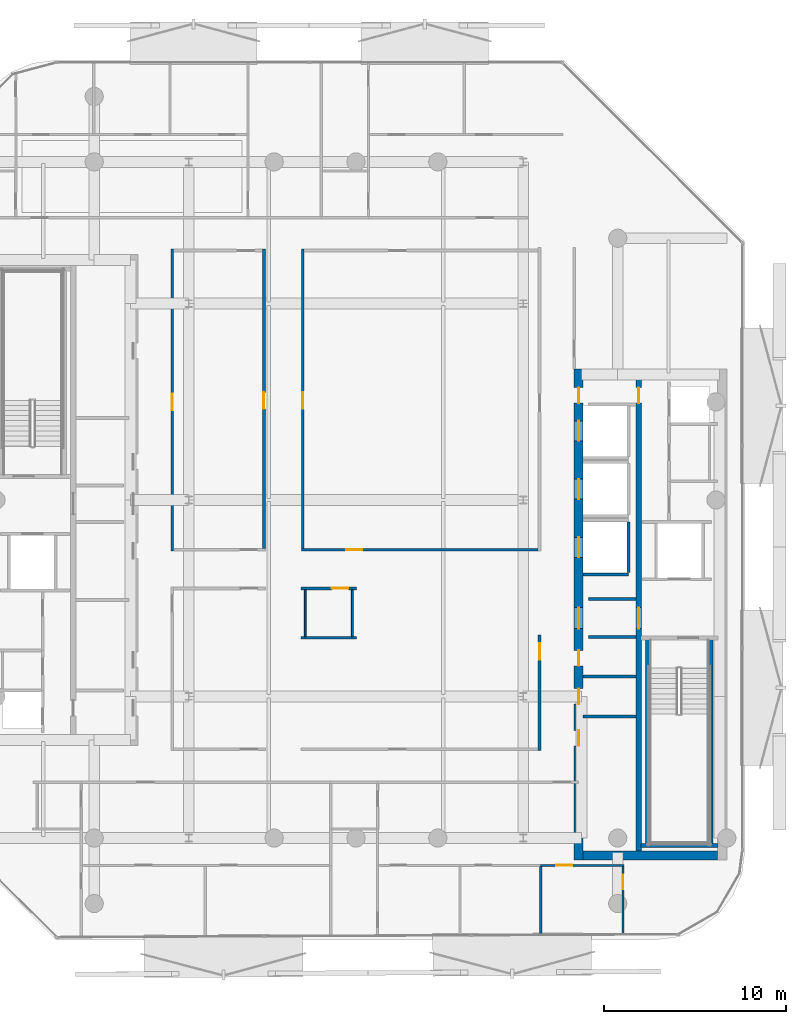
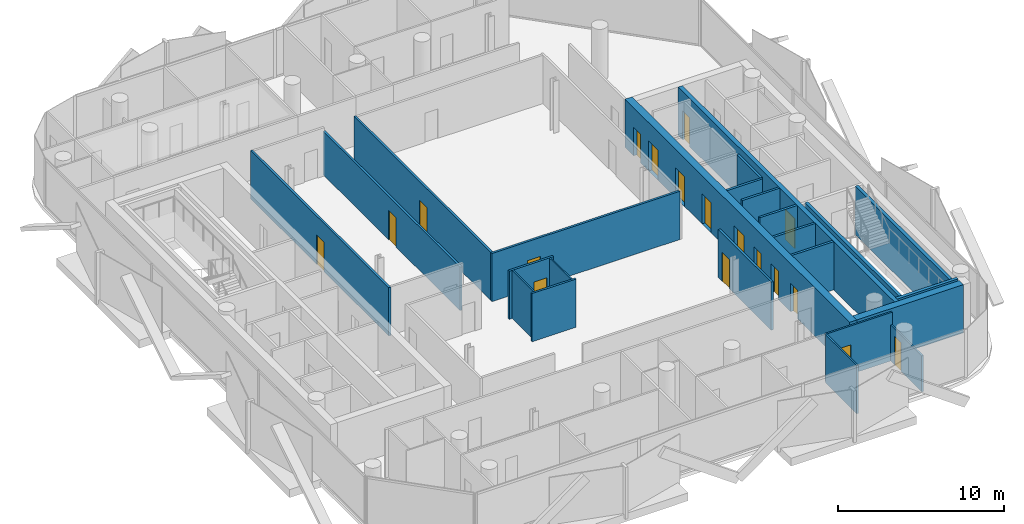
# One storey, part 6 of 16: 24 walls, 18 doors, 18 openings.
"""IFC4 building model written with IfcOpenShell, lengths in metres."""

from ifc_helpers import new_model, si_unit, direction, frame, frame_2d, origin, place, context, subcontext, project, spatial, rectangle, extrude, material, layer, layer_set, type_object, element, fill, save


model = new_model("IFC4")

# Units and contexts
model_context = context("Model", 3, precision=1e-05, world=origin(), true_north=direction((0.0, 1.0)))
body_context = subcontext(model_context, "Body", "Model", "MODEL_VIEW")
ifc_project = project(units=[si_unit("LENGTHUNIT", "METRE"), si_unit("AREAUNIT", "SQUARE_METRE"), si_unit("VOLUMEUNIT", "CUBIC_METRE"), si_unit("PLANEANGLEUNIT", "RADIAN"), si_unit("MASSUNIT", "GRAM", prefix="KILO")], contexts=[model_context])

# Site, building, storey
site_placement = place(None, origin())
site = spatial("IfcSite", under=ifc_project, at=site_placement, CompositionType="ELEMENT")
building_placement = place(site_placement, origin())
building = spatial("IfcBuilding", under=site, at=building_placement, Name="Khairoan Windgate Tower", CompositionType="ELEMENT")
storey_placement = place(building_placement, frame((0.0, 0.0, 277.60009765625)))
storey = spatial("IfcBuildingStorey", under=building, at=storey_placement, Name="L66", CompositionType="ELEMENT", Elevation=277.60009765625)

# Walls
ifc_material_1 = material(Name="Moisture-Resistant Gypsum Partition", Category="gypsum")
ifc_layer_1 = layer(ifc_material_1, 0.10009765625, Name="Moisture-Resistant Gypsum Partition")
ifc_layer_set_1 = layer_set([ifc_layer_1], Name="Moisture-Resistant Gypsum Partition")
wall_type_1 = type_object("IfcWallType", Name="Bathroom Wet-Area Partition Wall", PredefinedType="PARTITIONING", material=ifc_layer_set_1)
for number, where, z_axis, x_axis, name in (
    (1, (-0.199951171875, -4.93994140625, 0.0), (0.0, 0.0, 1.0), (0.0, -1.0, 0.0), "L66 Wet Room Side Wall 083"),
    (2, (-2.7900390625, -7.510009765625, 0.0), (0.0, 0.0, 1.0), (0.0, 1.0, 0.0), "L66 Wet Room Side Wall 084"),
):
    element("IfcWall", number, at=place(storey_placement, frame(where, z_axis=z_axis, x_axis=x_axis)), inside=storey, type_object=wall_type_1, Name=name, PredefinedType="PARTITIONING", context=body_context, shape_type="SweptSolid", body=[
        extrude(rectangle(XDim=2.570068359375, YDim=0.10009765625, at=frame_2d((1.28515625, 0.0))), origin(), (0.0, 0.0, 1.0), 3.539794921875),
    ])
ifc_material_2 = material(Name="Concrete C40/50", Category="concrete")
ifc_layer_2 = layer(ifc_material_2, 0.159912109375, Name="Concrete C40/50")
ifc_layer_set_2 = layer_set([ifc_layer_2], Name="Concrete C40/50")
wall_type_2 = type_object("IfcWallType", Name="Core and Hoistway Enclosure Wall", PredefinedType="STANDARD", material=ifc_layer_set_2)
wall_1_placement = place(storey_placement, frame((12.5, -4.090087890625, 0.0), z_axis=(0.0, 0.0, 1.0), x_axis=(1.0, 0.0, 0.0)))
element("IfcWall", 3, at=wall_1_placement, inside=storey, type_object=wall_type_2, Name="L66 Lift PL9 Hoistway Divider S", PredefinedType="STANDARD", context=body_context, shape_type="SweptSolid", body=[
    extrude(rectangle(XDim=2.489990234375, YDim=0.159912109375, at=frame_2d((1.2451171875, 0.0))), origin(), (0.0, 0.0, 1.0), 3.539794921875),
])
wall_2_placement = place(storey_placement, frame((14.989990234375, -4.0, 0.0), z_axis=(0.0, 0.0, 1.0), x_axis=(0.0, 1.0, 0.0)))
element("IfcWall", 4, at=wall_2_placement, inside=storey, type_object=wall_type_2, Name="L66 Lift PL9 Hoistway Back Wall", PredefinedType="STANDARD", context=body_context, shape_type="SweptSolid", body=[
    extrude(rectangle(XDim=2.800048828125, YDim=0.159912109375, at=frame_2d((1.39990234375, 0.0))), origin(), (0.0, 0.0, 1.0), 3.539794921875),
])
for number, where, z_axis, x_axis, name in (
    (5, (12.800048828125, -5.449951171875, 0.0), (0.0, 0.0, 1.0), (1.0, 0.0, 0.0), "L66 Core Shaft Wall SW-EV1-L66"),
    (6, (12.800048828125, -7.5400390625, 0.0), (0.0, 0.0, 1.0), (1.0, 0.0, 0.0), "L66 Core Shaft Wall SW-EV2-L66"),
):
    element("IfcWall", number, at=place(storey_placement, frame(where, z_axis=z_axis, x_axis=x_axis)), inside=storey, type_object=wall_type_2, Name=name, PredefinedType="STANDARD", context=body_context, shape_type="SweptSolid", body=[
        extrude(rectangle(XDim=2.599853515625, YDim=0.159912109375, at=frame_2d((1.2998046875, 0.0))), origin(), (0.0, 0.0, 1.0), 3.539794921875),
    ])
ifc_material_3 = material(Name="Acoustic Fire-Rated Gypsum Partition", Category="gypsum")
ifc_layer_3 = layer(ifc_material_3, 0.139892578125, Name="Acoustic Fire-Rated Gypsum Partition")
ifc_layer_set_3 = layer_set([ifc_layer_3], Name="Acoustic Fire-Rated Gypsum Partition")
wall_type_3 = type_object("IfcWallType", Name="Inter-Tenancy Compartment Wall", PredefinedType="PARTITIONING", material=ifc_layer_set_3)
wall_3_placement = place(storey_placement, frame((-3.030029296875, -7.580078125, 0.0), z_axis=(0.0, 0.0, 1.0), x_axis=(1.0, 0.0, 0.0)))
element("IfcWall", 7, at=wall_3_placement, inside=storey, type_object=wall_type_3, Name="L66 Interior Partition 079", PredefinedType="PARTITIONING", context=body_context, shape_type="SweptSolid", body=[
    extrude(rectangle(XDim=3.070068359375, YDim=0.139892578125, at=frame_2d((1.53515625, 0.0))), origin(), (0.0, 0.0, 1.0), 3.539794921875),
])

# Wall, opening, door
ifc_material_4 = material(Name="Gypsum Stud Partition", Category="gypsum")
ifc_layer_4 = layer(ifc_material_4, 0.1201171875, Name="Gypsum Stud Partition")
ifc_layer_set_4 = layer_set([ifc_layer_4], Name="Gypsum Stud Partition")
wall_type_4 = type_object("IfcWallType", Name="Internal Room Partition Wall", PredefinedType="PARTITIONING", material=ifc_layer_set_4)
wall_4_placement = place(storey_placement, frame((10.1630859375, -20.10009765625, 0.0), z_axis=(0.0, 0.0, 1.0), x_axis=(1.0, 0.0, 0.0)))
wall_4 = element("IfcWall", 8, at=wall_4_placement, inside=storey, type_object=wall_type_4, Name="L66 Interior Partition 075", PredefinedType="PARTITIONING", context=body_context, shape_type="SweptSolid", body=[
    extrude(rectangle(XDim=4.5869140625, YDim=0.1201171875, at=frame_2d((2.29345703125, 0.0))), origin(), (0.0, 0.0, 1.0), 3.539794921875),
])
opening_1_placement = place(wall_4_placement, frame((0.861083984375, 0.0, 0.0)))
opening_1 = element("IfcOpeningElement", 9, at=opening_1_placement, cuts=wall_4, Name="Opening ID-RM", PredefinedType="OPENING", context=body_context, shape_type="SweptSolid", body=[
    extrude(rectangle(XDim=0.860107421875, YDim=2.14990234375, at=frame_2d((0.43017578125, 1.074951171875))), frame((0.0, 0.070068359375, 0.0), z_axis=(0.0, -1.0, 0.0), x_axis=(1.0, 0.0, 0.0)), (0.0, 0.0, 1.0), 0.14013671875),
])
ifc_material_5 = material(Name="Teak Veneer Timber Leaf", Category="wood")
door_type_1 = type_object("IfcDoorType", Name="Internal Bedroom and Office Door ID-RM 860x2150", OperationType="NOTDEFINED", PredefinedType="DOOR", material=ifc_material_5)
door_1_placement = place(opening_1_placement, origin())
door_1 = element("IfcDoor", 10, at=door_1_placement, inside=storey, type_object=door_type_1, Name="L66 L66-54-L66-58 Door", OperationType="SINGLE_SWING_LEFT", OverallHeight=2.14990234375, OverallWidth=0.860107421875, PredefinedType="DOOR", context=body_context, shape_type="SweptSolid", body=[
    extrude(rectangle(XDim=0.860107421875, YDim=2.14990234375, at=frame_2d((0.43017578125, 1.074951171875))), frame((0.0, 0.02490234375, 0.0), z_axis=(0.0, -1.0, 0.0), x_axis=(1.0, 0.0, 0.0)), (0.0, 0.0, 1.0), 0.050048828125),
])
fill(opening_1, door_1)

wall_5_placement = place(storey_placement, frame((14.68994140625, -23.906005859375, 0.0), z_axis=(0.0, 0.0, 1.0), x_axis=(0.0, 1.0, 0.0)))
wall_5 = element("IfcWall", 11, at=wall_5_placement, inside=storey, type_object=wall_type_4, Name="L66 Interior Partition 076", PredefinedType="PARTITIONING", context=body_context, shape_type="SweptSolid", body=[
    extrude(rectangle(XDim=3.74609375, YDim=0.1201171875, at=frame_2d((1.873046875, 0.0))), origin(), (0.0, 0.0, 1.0), 2.639892578125),
])
opening_2_placement = place(wall_5_placement, frame((2.486083984375, 0.0, 0.0)))
opening_2 = element("IfcOpeningElement", 12, at=opening_2_placement, cuts=wall_5, Name="Opening ID-BTH", PredefinedType="OPENING", context=body_context, shape_type="SweptSolid", body=[
    extrude(rectangle(XDim=0.800048828125, YDim=2.10009765625, at=frame_2d((0.39990234375, 1.050048828125))), frame((0.0, 0.070068359375, 0.0), z_axis=(0.0, -1.0, 0.0), x_axis=(1.0, 0.0, 0.0)), (0.0, 0.0, 1.0), 0.14013671875),
])
ifc_material_6 = material(Name="Teak Veneer Timber Leaf", Category="wood")
door_type_2 = type_object("IfcDoorType", Name="Internal Bathroom Door ID-BTH 800x2100", OperationType="NOTDEFINED", PredefinedType="DOOR", material=ifc_material_6)
door_2_placement = place(opening_2_placement, origin())
door_2 = element("IfcDoor", 13, at=door_2_placement, inside=storey, type_object=door_type_2, Name="L66 L66-55-L66-58 Door", OperationType="SINGLE_SWING_LEFT", OverallHeight=2.10009765625, OverallWidth=0.800048828125, PredefinedType="DOOR", context=body_context, shape_type="SweptSolid", body=[
    extrude(rectangle(XDim=0.800048828125, YDim=2.10009765625, at=frame_2d((0.39990234375, 1.050048828125))), frame((0.0, 0.02490234375, 0.0), z_axis=(0.0, -1.0, 0.0), x_axis=(1.0, 0.0, 0.0)), (0.0, 0.0, 1.0), 0.050048828125),
])
fill(opening_2, door_2)

# Walls
wall_6_placement = place(storey_placement, frame((10.1630859375, -23.927734375, 0.0), z_axis=(0.0, 0.0, 1.0), x_axis=(0.0, 1.0, 0.0)))
element("IfcWall", 14, at=wall_6_placement, inside=storey, type_object=wall_type_4, Name="L66 Interior Partition 078", PredefinedType="PARTITIONING", context=body_context, shape_type="SweptSolid", body=[
    extrude(rectangle(XDim=3.767822265625, YDim=0.1201171875, at=frame_2d((1.8837890625, 0.0))), origin(), (0.0, 0.0, 1.0), 3.539794921875),
])
ifc_material_7 = material(Name="Concrete C40/50", Category="concrete")
ifc_layer_5 = layer(ifc_material_7, 0.159912109375, Name="Concrete C40/50")
ifc_layer_set_5 = layer_set([ifc_layer_5], Name="Concrete C40/50")
wall_type_5 = type_object("IfcWallType", Name="Plant and Refuge Compartment Wall", PredefinedType="PARTITIONING", material=ifc_layer_set_5)
for number, where, z_axis, x_axis, name in (
    (15, (12.5, -11.919921875, 0.0), (0.0, 0.0, 1.0), (1.0, 0.0, 0.0), "L66 Interior Partition 013"),
    (16, (12.5, -9.719970703125, 0.0), (0.0, 0.0, 1.0), (1.0, 0.0, 0.0), "L66 Interior Partition 014"),
):
    element("IfcWall", number, at=place(storey_placement, frame(where, z_axis=z_axis, x_axis=x_axis)), inside=storey, type_object=wall_type_5, Name=name, PredefinedType="PARTITIONING", context=body_context, shape_type="SweptSolid", body=[
        extrude(rectangle(XDim=2.89990234375, YDim=0.159912109375, at=frame_2d((1.449951171875, 0.0))), origin(), (0.0, 0.0, 1.0), 3.539794921875),
    ])

# Wall, opening, door
ifc_material_8 = material(Name="Acoustic Fire-Rated Gypsum Partition", Category="gypsum")
ifc_layer_6 = layer(ifc_material_8, 0.14990234375, Name="Acoustic Fire-Rated Gypsum Partition")
ifc_layer_set_6 = layer_set([ifc_layer_6], Name="Acoustic Fire-Rated Gypsum Partition")
wall_type_6 = type_object("IfcWallType", Name="Rated Corridor Partition Wall", PredefinedType="PARTITIONING", material=ifc_layer_set_6)
wall_7_placement = place(storey_placement, frame((-10.10009765625, -2.81005859375, 0.0), z_axis=(0.0, 0.0, 1.0), x_axis=(0.0, 1.0, 0.0)))
wall_7 = element("IfcWall", 17, at=wall_7_placement, inside=storey, type_object=wall_type_6, Name="L66 Interior Partition 015", PredefinedType="PARTITIONING", context=body_context, shape_type="SweptSolid", body=[
    extrude(rectangle(XDim=16.60498046875, YDim=0.14990234375, at=frame_2d((8.302490234375, 0.0))), origin(), (0.0, 0.0, 1.0), 3.539794921875),
])
opening_3_placement = place(wall_7_placement, frame((7.751220703125, 0.0, 0.0)))
opening_3 = element("IfcOpeningElement", 18, at=opening_3_placement, cuts=wall_7, Name="Opening FD-ENT", PredefinedType="OPENING", context=body_context, shape_type="SweptSolid", body=[
    extrude(rectangle(XDim=0.89990234375, YDim=2.14990234375, at=frame_2d((0.449951171875, 1.074951171875))), frame((0.0, 0.0849609375, 0.0), z_axis=(0.0, -1.0, 0.0), x_axis=(1.0, 0.0, 0.0)), (0.0, 0.0, 1.0), 0.169921875),
])
ifc_material_9 = material(Name="Timber Fire-Rated Core", Category="wood")
door_type_3 = type_object("IfcDoorType", Name="Unit and Office Fire Entrance Door FD-ENT 900x2150", OperationType="NOTDEFINED", PredefinedType="DOOR", material=ifc_material_9)
door_3_placement = place(opening_3_placement, origin())
door_3 = element("IfcDoor", 19, at=door_3_placement, inside=storey, type_object=door_type_3, Name="L66 L66-29-L66-60 Door", OperationType="SINGLE_SWING_RIGHT", OverallHeight=2.14990234375, OverallWidth=0.89990234375, PredefinedType="DOOR", context=body_context, shape_type="SweptSolid", body=[
    extrude(rectangle(XDim=0.89990234375, YDim=2.14990234375, at=frame_2d((0.449951171875, 1.074951171875))), frame((0.0, 0.02490234375, 0.0), z_axis=(0.0, -1.0, 0.0), x_axis=(1.0, 0.0, 0.0)), (0.0, 0.0, 1.0), 0.050048828125),
])
fill(opening_3, door_3)

wall_8_placement = place(storey_placement, frame((10.10009765625, -13.794921875, 0.0), z_axis=(0.0, 0.0, 1.0), x_axis=(0.0, 1.0, 0.0)))
wall_8 = element("IfcWall", 20, at=wall_8_placement, inside=storey, type_object=wall_type_6, Name="L66 Interior Partition 019", PredefinedType="PARTITIONING", context=body_context, shape_type="SweptSolid", body=[
    extrude(rectangle(XDim=6.375, YDim=0.14990234375, at=frame_2d((3.1875, 0.0))), origin(), (0.0, 0.0, 1.0), 3.539794921875),
])
opening_4_placement = place(wall_8_placement, frame((5.014892578125, 0.0, 0.0)))
opening_4 = element("IfcOpeningElement", 21, at=opening_4_placement, cuts=wall_8, Name="Opening FD-ENT", PredefinedType="OPENING", context=body_context, shape_type="SweptSolid", body=[
    extrude(rectangle(XDim=0.89990234375, YDim=2.14990234375, at=frame_2d((0.449951171875, 1.074951171875))), frame((0.0, 0.0849609375, 0.0), z_axis=(0.0, -1.0, 0.0), x_axis=(1.0, 0.0, 0.0)), (0.0, 0.0, 1.0), 0.169921875),
])
door_4_placement = place(opening_4_placement, origin())
door_4 = element("IfcDoor", 22, at=door_4_placement, inside=storey, type_object=door_type_3, Name="L66 L66-30-L66-64 Door", OperationType="SINGLE_SWING_RIGHT", OverallHeight=2.14990234375, OverallWidth=0.89990234375, PredefinedType="DOOR", context=body_context, shape_type="SweptSolid", body=[
    extrude(rectangle(XDim=0.89990234375, YDim=2.14990234375, at=frame_2d((0.449951171875, 1.074951171875))), frame((0.0, 0.02490234375, 0.0), z_axis=(0.0, -1.0, 0.0), x_axis=(1.0, 0.0, 0.0)), (0.0, 0.0, 1.0), 0.050048828125),
])
fill(opening_4, door_4)

wall_9_placement = place(storey_placement, frame((-3.010009765625, -2.735107421875, 0.0), z_axis=(0.0, 0.0, 1.0), x_axis=(1.0, 0.0, 0.0)))
wall_9 = element("IfcWall", 23, at=wall_9_placement, inside=storey, type_object=wall_type_6, Name="L66 Interior Partition 022", PredefinedType="PARTITIONING", context=body_context, shape_type="SweptSolid", body=[
    extrude(rectangle(XDim=13.034912109375, YDim=0.14990234375, at=frame_2d((6.517578125, 0.0))), origin(), (0.0, 0.0, 1.0), 3.539794921875),
])
opening_5_placement = place(wall_9_placement, frame((2.462646484375, 0.0, 0.0)))
opening_5 = element("IfcOpeningElement", 24, at=opening_5_placement, cuts=wall_9, Name="Opening FD-ENT", PredefinedType="OPENING", context=body_context, shape_type="SweptSolid", body=[
    extrude(rectangle(XDim=0.89990234375, YDim=2.14990234375, at=frame_2d((0.449951171875, 1.074951171875))), frame((0.0, 0.0849609375, 0.0), z_axis=(0.0, -1.0, 0.0), x_axis=(1.0, 0.0, 0.0)), (0.0, 0.0, 1.0), 0.169921875),
])
door_5_placement = place(opening_5_placement, origin())
door_5 = element("IfcDoor", 25, at=door_5_placement, inside=storey, type_object=door_type_3, Name="L66 L66-31-L66-62 Door", OperationType="SINGLE_SWING_LEFT", OverallHeight=2.14990234375, OverallWidth=0.89990234375, PredefinedType="DOOR", context=body_context, shape_type="SweptSolid", body=[
    extrude(rectangle(XDim=0.89990234375, YDim=2.14990234375, at=frame_2d((0.449951171875, 1.074951171875))), frame((0.0, 0.02490234375, 0.0), z_axis=(0.0, -1.0, 0.0), x_axis=(1.0, 0.0, 0.0)), (0.0, 0.0, 1.0), 0.050048828125),
])
fill(opening_5, door_5)

wall_10_placement = place(storey_placement, frame((-3.030029296875, -4.864990234375, 0.0), z_axis=(0.0, 0.0, 1.0), x_axis=(1.0, 0.0, 0.0)))
wall_10 = element("IfcWall", 26, at=wall_10_placement, inside=storey, type_object=wall_type_6, Name="L66 Interior Partition 023", PredefinedType="PARTITIONING", context=body_context, shape_type="SweptSolid", body=[
    extrude(rectangle(XDim=3.070068359375, YDim=0.14990234375, at=frame_2d((1.53515625, 0.0))), origin(), (0.0, 0.0, 1.0), 3.539794921875),
])
opening_6_placement = place(wall_10_placement, frame((1.7099609375, 0.0, 0.0)))
opening_6 = element("IfcOpeningElement", 27, at=opening_6_placement, cuts=wall_10, Name="Opening FD-ENT", PredefinedType="OPENING", context=body_context, shape_type="SweptSolid", body=[
    extrude(rectangle(XDim=0.89990234375, YDim=2.14990234375, at=frame_2d((0.449951171875, 1.074951171875))), frame((0.0, 0.0849609375, 0.0), z_axis=(0.0, -1.0, 0.0), x_axis=(1.0, 0.0, 0.0)), (0.0, 0.0, 1.0), 0.169921875),
])
door_6_placement = place(opening_6_placement, origin())
door_6 = element("IfcDoor", 28, at=door_6_placement, inside=storey, type_object=door_type_3, Name="L66 L66-31-L66-63 Door", OperationType="SINGLE_SWING_RIGHT", OverallHeight=2.14990234375, OverallWidth=0.89990234375, PredefinedType="DOOR", context=body_context, shape_type="SweptSolid", body=[
    extrude(rectangle(XDim=0.89990234375, YDim=2.14990234375, at=frame_2d((0.449951171875, 1.074951171875))), frame((0.0, 0.02490234375, 0.0), z_axis=(0.0, -1.0, 0.0), x_axis=(1.0, 0.0, 0.0)), (0.0, 0.0, 1.0), 0.050048828125),
])
fill(opening_6, door_6)

wall_11_placement = place(storey_placement, frame((-5.06494140625, -2.659912109375, 0.0), z_axis=(0.0, 0.0, 1.0), x_axis=(0.0, 1.0, 0.0)))
wall_11 = element("IfcWall", 29, at=wall_11_placement, inside=storey, type_object=wall_type_6, Name="L66 Interior Partition 024", PredefinedType="PARTITIONING", context=body_context, shape_type="SweptSolid", body=[
    extrude(rectangle(XDim=16.454833984375, YDim=0.14990234375, at=frame_2d((8.2275390625, 0.0))), origin(), (0.0, 0.0, 1.0), 3.18994140625),
])
opening_7_placement = place(wall_11_placement, frame((7.67724609375, 0.0, 0.0)))
opening_7 = element("IfcOpeningElement", 30, at=opening_7_placement, cuts=wall_11, Name="Opening FD-ENT", PredefinedType="OPENING", context=body_context, shape_type="SweptSolid", body=[
    extrude(rectangle(XDim=0.89990234375, YDim=2.14990234375, at=frame_2d((0.449951171875, 1.074951171875))), frame((0.0, 0.0849609375, 0.0), z_axis=(0.0, -1.0, 0.0), x_axis=(1.0, 0.0, 0.0)), (0.0, 0.0, 1.0), 0.169921875),
])
door_7_placement = place(opening_7_placement, origin())
door_7 = element("IfcDoor", 31, at=door_7_placement, inside=storey, type_object=door_type_3, Name="L66 L66-32-L66-60 Door", OperationType="SINGLE_SWING_LEFT", OverallHeight=2.14990234375, OverallWidth=0.89990234375, PredefinedType="DOOR", context=body_context, shape_type="SweptSolid", body=[
    extrude(rectangle(XDim=0.89990234375, YDim=2.14990234375, at=frame_2d((0.449951171875, 1.074951171875))), frame((0.0, 0.02490234375, 0.0), z_axis=(0.0, -1.0, 0.0), x_axis=(1.0, 0.0, 0.0)), (0.0, 0.0, 1.0), 0.050048828125),
])
fill(opening_7, door_7)

wall_12_placement = place(storey_placement, frame((-2.93505859375, -2.659912109375, 0.0), z_axis=(0.0, 0.0, 1.0), x_axis=(0.0, 1.0, 0.0)))
wall_12 = element("IfcWall", 32, at=wall_12_placement, inside=storey, type_object=wall_type_6, Name="L66 Interior Partition 025", PredefinedType="PARTITIONING", context=body_context, shape_type="SweptSolid", body=[
    extrude(rectangle(XDim=16.454833984375, YDim=0.14990234375, at=frame_2d((8.2275390625, 0.0))), origin(), (0.0, 0.0, 1.0), 3.539794921875),
])
opening_8_placement = place(wall_12_placement, frame((7.67724609375, 0.0, 0.0)))
opening_8 = element("IfcOpeningElement", 33, at=opening_8_placement, cuts=wall_12, Name="Opening FD-ENT", PredefinedType="OPENING", context=body_context, shape_type="SweptSolid", body=[
    extrude(rectangle(XDim=0.89990234375, YDim=2.14990234375, at=frame_2d((0.449951171875, 1.074951171875))), frame((0.0, 0.0849609375, 0.0), z_axis=(0.0, -1.0, 0.0), x_axis=(1.0, 0.0, 0.0)), (0.0, 0.0, 1.0), 0.169921875),
])
door_8_placement = place(opening_8_placement, origin())
door_8 = element("IfcDoor", 34, at=door_8_placement, inside=storey, type_object=door_type_3, Name="L66 L66-32-L66-62 Door", OperationType="SINGLE_SWING_RIGHT", OverallHeight=2.14990234375, OverallWidth=0.89990234375, PredefinedType="DOOR", context=body_context, shape_type="SweptSolid", body=[
    extrude(rectangle(XDim=0.89990234375, YDim=2.14990234375, at=frame_2d((0.449951171875, 1.074951171875))), frame((0.0, 0.02490234375, 0.0), z_axis=(0.0, -1.0, 0.0), x_axis=(1.0, 0.0, 0.0)), (0.0, 0.0, 1.0), 0.050048828125),
])
fill(opening_8, door_8)

# Wall, openings, doors
ifc_material_10 = material(Name="Concrete C50/60", Category="concrete")
ifc_layer_7 = layer(ifc_material_10, 0.5, Name="Concrete C50/60")
ifc_layer_set_7 = layer_set([ifc_layer_7], Name="Concrete C50/60")
wall_type_7 = type_object("IfcWallType", Name="Shear Wall CW-E3 500mm", PredefinedType="SHEAR", material=ifc_layer_set_7)
wall_13_placement = place(storey_placement, frame((12.25, -19.800048828125, 0.0), z_axis=(0.0, 0.0, 1.0), x_axis=(0.0, 1.0, 0.0)))
wall_13 = element("IfcWall", 35, at=wall_13_placement, inside=storey, type_object=wall_type_7, Name="E Core West Shear Wall L66", PredefinedType="SHEAR", context=body_context, shape_type="SweptSolid", body=[
    extrude(rectangle(XDim=27.0, YDim=0.5, at=frame_2d((13.5, 0.0))), origin(), (0.0, 0.0, 1.0), 3.539794921875),
])
opening_9_placement = place(wall_13_placement, frame((23.050048828125, 0.0, 0.0)))
opening_9 = element("IfcOpeningElement", 36, at=opening_9_placement, cuts=wall_13, Name="Opening LD-PL", PredefinedType="OPENING", context=body_context, shape_type="SweptSolid", body=[
    extrude(rectangle(XDim=1.10009765625, YDim=2.199951171875, at=frame_2d((0.550048828125, 1.10009765625))), frame((0.0, 0.260009765625, 0.0), z_axis=(0.0, -1.0, 0.0), x_axis=(1.0, 0.0, 0.0)), (0.0, 0.0, 1.0), 0.52001953125),
])
opening_10_placement = place(wall_13_placement, frame((19.85009765625, 0.0, 0.0)))
opening_10 = element("IfcOpeningElement", 37, at=opening_10_placement, cuts=wall_13, Name="Opening LD-PL", PredefinedType="OPENING", context=body_context, shape_type="SweptSolid", body=[
    extrude(rectangle(XDim=1.10009765625, YDim=2.199951171875, at=frame_2d((0.550048828125, 1.10009765625))), frame((0.0, 0.260009765625, 0.0), z_axis=(0.0, -1.0, 0.0), x_axis=(1.0, 0.0, 0.0)), (0.0, 0.0, 1.0), 0.52001953125),
])
opening_11_placement = place(wall_13_placement, frame((16.64990234375, 0.0, 0.0)))
opening_11 = element("IfcOpeningElement", 38, at=opening_11_placement, cuts=wall_13, Name="Opening LD-PL", PredefinedType="OPENING", context=body_context, shape_type="SweptSolid", body=[
    extrude(rectangle(XDim=1.10009765625, YDim=2.199951171875, at=frame_2d((0.550048828125, 1.10009765625))), frame((0.0, 0.260009765625, 0.0), z_axis=(0.0, -1.0, 0.0), x_axis=(1.0, 0.0, 0.0)), (0.0, 0.0, 1.0), 0.52001953125),
])
opening_12_placement = place(wall_13_placement, frame((6.27490234375, 0.0, 0.0)))
opening_12 = element("IfcOpeningElement", 39, at=opening_12_placement, cuts=wall_13, Name="Opening FD-SRV", PredefinedType="OPENING", context=body_context, shape_type="SweptSolid", body=[
    extrude(rectangle(XDim=0.85009765625, YDim=2.10009765625, at=frame_2d((0.425048828125, 1.050048828125))), frame((0.0, 0.260009765625, 0.0), z_axis=(0.0, -1.0, 0.0), x_axis=(1.0, 0.0, 0.0)), (0.0, 0.0, 1.0), 0.52001953125),
])
opening_13_placement = place(wall_13_placement, frame((8.574951171875, 0.0, 0.0)))
opening_13 = element("IfcOpeningElement", 40, at=opening_13_placement, cuts=wall_13, Name="Opening FD-SRV", PredefinedType="OPENING", context=body_context, shape_type="SweptSolid", body=[
    extrude(rectangle(XDim=0.85009765625, YDim=2.10009765625, at=frame_2d((0.425048828125, 1.050048828125))), frame((0.0, 0.260009765625, 0.0), z_axis=(0.0, -1.0, 0.0), x_axis=(1.0, 0.0, 0.0)), (0.0, 0.0, 1.0), 0.52001953125),
])
opening_14_placement = place(wall_13_placement, frame((10.675048828125, 0.0, 0.0)))
opening_14 = element("IfcOpeningElement", 41, at=opening_14_placement, cuts=wall_13, Name="Opening FD-SRV", PredefinedType="OPENING", context=body_context, shape_type="SweptSolid", body=[
    extrude(rectangle(XDim=0.85009765625, YDim=2.10009765625, at=frame_2d((0.425048828125, 1.050048828125))), frame((0.0, 0.260009765625, 0.0), z_axis=(0.0, -1.0, 0.0), x_axis=(1.0, 0.0, 0.0)), (0.0, 0.0, 1.0), 0.52001953125),
])
opening_15_placement = place(wall_13_placement, frame((12.72509765625, 0.0, 0.0)))
opening_15 = element("IfcOpeningElement", 42, at=opening_15_placement, cuts=wall_13, Name="Opening FD-FFL", PredefinedType="OPENING", context=body_context, shape_type="SweptSolid", body=[
    extrude(rectangle(XDim=1.14990234375, YDim=2.199951171875, at=frame_2d((0.574951171875, 1.10009765625))), frame((0.0, 0.260009765625, 0.0), z_axis=(0.0, -1.0, 0.0), x_axis=(1.0, 0.0, 0.0)), (0.0, 0.0, 1.0), 0.52001953125),
])
opening_16_placement = place(wall_13_placement, frame((25.125, 0.0, 0.0)))
opening_16 = element("IfcOpeningElement", 43, at=opening_16_placement, cuts=wall_13, Name="Opening FD-SRV", PredefinedType="OPENING", context=body_context, shape_type="SweptSolid", body=[
    extrude(rectangle(XDim=0.85009765625, YDim=2.10009765625, at=frame_2d((0.425048828125, 1.050048828125))), frame((0.0, 0.260009765625, 0.0), z_axis=(0.0, -1.0, 0.0), x_axis=(1.0, 0.0, 0.0)), (0.0, 0.0, 1.0), 0.52001953125),
])
ifc_material_11 = material(Name="Steel S355", Category="steel")
door_type_4 = type_object("IfcDoorType", Name="Core Service and Riser Fire Door FD-SRV 850x2100", OperationType="NOTDEFINED", PredefinedType="DOOR", material=ifc_material_11)
door_9_placement = place(opening_12_placement, origin())
door_9 = element("IfcDoor", 44, at=door_9_placement, inside=storey, type_object=door_type_4, Name="L66 East Core Service Room Door 1", OperationType="SINGLE_SWING_LEFT", OverallHeight=2.10009765625, OverallWidth=0.85009765625, PredefinedType="DOOR", context=body_context, shape_type="SweptSolid", body=[
    extrude(rectangle(XDim=0.85009765625, YDim=2.10009765625, at=frame_2d((0.425048828125, 1.050048828125))), frame((0.0, 0.02490234375, 0.0), z_axis=(0.0, -1.0, 0.0), x_axis=(1.0, 0.0, 0.0)), (0.0, 0.0, 1.0), 0.050048828125),
])
fill(opening_12, door_9)
door_10_placement = place(opening_13_placement, origin())
door_10 = element("IfcDoor", 45, at=door_10_placement, inside=storey, type_object=door_type_4, Name="L66 East Core Service Room Door 2", OperationType="SINGLE_SWING_RIGHT", OverallHeight=2.10009765625, OverallWidth=0.85009765625, PredefinedType="DOOR", context=body_context, shape_type="SweptSolid", body=[
    extrude(rectangle(XDim=0.85009765625, YDim=2.10009765625, at=frame_2d((0.425048828125, 1.050048828125))), frame((0.0, 0.02490234375, 0.0), z_axis=(0.0, -1.0, 0.0), x_axis=(1.0, 0.0, 0.0)), (0.0, 0.0, 1.0), 0.050048828125),
])
fill(opening_13, door_10)
door_11_placement = place(opening_14_placement, origin())
door_11 = element("IfcDoor", 46, at=door_11_placement, inside=storey, type_object=door_type_4, Name="L66 East Core Service Room Door 3", OperationType="SINGLE_SWING_LEFT", OverallHeight=2.10009765625, OverallWidth=0.85009765625, PredefinedType="DOOR", context=body_context, shape_type="SweptSolid", body=[
    extrude(rectangle(XDim=0.85009765625, YDim=2.10009765625, at=frame_2d((0.425048828125, 1.050048828125))), frame((0.0, 0.02490234375, 0.0), z_axis=(0.0, -1.0, 0.0), x_axis=(1.0, 0.0, 0.0)), (0.0, 0.0, 1.0), 0.050048828125),
])
fill(opening_14, door_11)
door_12_placement = place(opening_16_placement, origin())
door_12 = element("IfcDoor", 47, at=door_12_placement, inside=storey, type_object=door_type_4, Name="L66 East Core Service Vestibule Outer Door", OperationType="SINGLE_SWING_RIGHT", OverallHeight=2.10009765625, OverallWidth=0.85009765625, PredefinedType="DOOR", context=body_context, shape_type="SweptSolid", body=[
    extrude(rectangle(XDim=0.85009765625, YDim=2.10009765625, at=frame_2d((0.425048828125, 1.050048828125))), frame((0.0, 0.02490234375, 0.0), z_axis=(0.0, -1.0, 0.0), x_axis=(1.0, 0.0, 0.0)), (0.0, 0.0, 1.0), 0.050048828125),
])
fill(opening_16, door_12)
ifc_material_12 = material(Name="Steel S355", Category="steel")
door_type_5 = type_object("IfcDoorType", Name="Firefighting Lobby Fire Door FD-FFL 1150x2200", OperationType="NOTDEFINED", PredefinedType="DOOR", material=ifc_material_12)
door_13_placement = place(opening_15_placement, origin())
door_13 = element("IfcDoor", 48, at=door_13_placement, inside=storey, type_object=door_type_5, Name="L66 East Core Vestibule Entry Door", OperationType="SINGLE_SWING_RIGHT", OverallHeight=2.199951171875, OverallWidth=1.14990234375, PredefinedType="DOOR", context=body_context, shape_type="SweptSolid", body=[
    extrude(rectangle(XDim=1.14990234375, YDim=2.199951171875, at=frame_2d((0.574951171875, 1.10009765625))), frame((0.0, 0.02490234375, 0.0), z_axis=(0.0, -1.0, 0.0), x_axis=(1.0, 0.0, 0.0)), (0.0, 0.0, 1.0), 0.050048828125),
])
fill(opening_15, door_13)
ifc_material_13 = material(Name="Anodised Bronze Aluminium 6063-T6", Category="aluminium")
door_type_6 = type_object("IfcDoorType", Name="Passenger Lift Sliding Landing Door LD-PL 1100x2200", OperationType="DOUBLE_DOOR_SLIDING", PredefinedType="DOOR", material=ifc_material_13)
door_14_placement = place(opening_9_placement, origin())
door_14 = element("IfcDoor", 49, at=door_14_placement, inside=storey, type_object=door_type_6, Name="L66 Lift PL7 Sliding Landing Door", OperationType="DOUBLE_DOOR_SLIDING", OverallHeight=2.199951171875, OverallWidth=1.10009765625, PredefinedType="DOOR", context=body_context, shape_type="SweptSolid", body=[
    extrude(rectangle(XDim=1.10009765625, YDim=2.199951171875, at=frame_2d((0.550048828125, 1.10009765625))), frame((0.0, 0.02490234375, 0.0), z_axis=(0.0, -1.0, 0.0), x_axis=(1.0, 0.0, 0.0)), (0.0, 0.0, 1.0), 0.050048828125),
])
fill(opening_9, door_14)
door_15_placement = place(opening_10_placement, origin())
door_15 = element("IfcDoor", 50, at=door_15_placement, inside=storey, type_object=door_type_6, Name="L66 Lift PL8 Sliding Landing Door", OperationType="DOUBLE_DOOR_SLIDING", OverallHeight=2.199951171875, OverallWidth=1.10009765625, PredefinedType="DOOR", context=body_context, shape_type="SweptSolid", body=[
    extrude(rectangle(XDim=1.10009765625, YDim=2.199951171875, at=frame_2d((0.550048828125, 1.10009765625))), frame((0.0, 0.02490234375, 0.0), z_axis=(0.0, -1.0, 0.0), x_axis=(1.0, 0.0, 0.0)), (0.0, 0.0, 1.0), 0.050048828125),
])
fill(opening_10, door_15)
door_16_placement = place(opening_11_placement, origin())
door_16 = element("IfcDoor", 51, at=door_16_placement, inside=storey, type_object=door_type_6, Name="L66 Lift PL9 Sliding Landing Door", OperationType="DOUBLE_DOOR_SLIDING", OverallHeight=2.199951171875, OverallWidth=1.10009765625, PredefinedType="DOOR", context=body_context, shape_type="SweptSolid", body=[
    extrude(rectangle(XDim=1.10009765625, YDim=2.199951171875, at=frame_2d((0.550048828125, 1.10009765625))), frame((0.0, 0.02490234375, 0.0), z_axis=(0.0, -1.0, 0.0), x_axis=(1.0, 0.0, 0.0)), (0.0, 0.0, 1.0), 0.050048828125),
])
fill(opening_11, door_16)

# Wall
wall_14_placement = place(storey_placement, frame((12.5, -19.550048828125, 0.0), z_axis=(0.0, 0.0, 1.0), x_axis=(1.0, 0.0, 0.0)))
element("IfcWall", 52, at=wall_14_placement, inside=storey, type_object=wall_type_7, Name="E Core South Shear Wall L66", PredefinedType="SHEAR", context=body_context, shape_type="SweptSolid", body=[
    extrude(rectangle(XDim=7.39990234375, YDim=0.5, at=frame_2d((3.699951171875, 0.0))), origin(), (0.0, 0.0, 1.0), 3.539794921875),
])

# Wall, openings, doors
ifc_material_14 = material(Name="Concrete C50/60", Category="concrete")
ifc_layer_8 = layer(ifc_material_14, 0.300048828125, Name="Concrete C50/60")
ifc_layer_set_8 = layer_set([ifc_layer_8], Name="Concrete C50/60")
wall_type_8 = type_object("IfcWallType", Name="Shear Wall SW-2 300mm", PredefinedType="SHEAR", material=ifc_layer_set_8)
wall_15_placement = place(storey_placement, frame((15.550048828125, -19.300048828125, 0.0), z_axis=(0.0, 0.0, 1.0), x_axis=(0.0, 1.0, 0.0)))
wall_15 = element("IfcWall", 53, at=wall_15_placement, inside=storey, type_object=wall_type_8, Name="E Core Spine Shear Wall L66", PredefinedType="SHEAR", context=body_context, shape_type="SweptSolid", body=[
    extrude(rectangle(XDim=26.0, YDim=0.300048828125, at=frame_2d((13.0, 0.0))), origin(), (0.0, 0.0, 1.0), 3.539794921875),
])
opening_17_placement = place(wall_15_placement, frame((12.22509765625, 0.0, 0.0)))
opening_17 = element("IfcOpeningElement", 54, at=opening_17_placement, cuts=wall_15, Name="Opening FD-FFL", PredefinedType="OPENING", context=body_context, shape_type="SweptSolid", body=[
    extrude(rectangle(XDim=1.14990234375, YDim=2.199951171875, at=frame_2d((0.574951171875, 1.10009765625))), frame((0.0, 0.159912109375, 0.0), z_axis=(0.0, -1.0, 0.0), x_axis=(1.0, 0.0, 0.0)), (0.0, 0.0, 1.0), 0.320068359375),
])
opening_18_placement = place(wall_15_placement, frame((24.625, 0.0, 0.0)))
opening_18 = element("IfcOpeningElement", 55, at=opening_18_placement, cuts=wall_15, Name="Opening FD-SRV", PredefinedType="OPENING", context=body_context, shape_type="SweptSolid", body=[
    extrude(rectangle(XDim=0.85009765625, YDim=2.10009765625, at=frame_2d((0.425048828125, 1.050048828125))), frame((0.0, 0.159912109375, 0.0), z_axis=(0.0, -1.0, 0.0), x_axis=(1.0, 0.0, 0.0)), (0.0, 0.0, 1.0), 0.320068359375),
])
door_17_placement = place(opening_18_placement, origin())
door_17 = element("IfcDoor", 56, at=door_17_placement, inside=storey, type_object=door_type_4, Name="L66 East Core Service Passage Inner Door", OperationType="SINGLE_SWING_LEFT", OverallHeight=2.10009765625, OverallWidth=0.85009765625, PredefinedType="DOOR", context=body_context, shape_type="SweptSolid", body=[
    extrude(rectangle(XDim=0.85009765625, YDim=2.10009765625, at=frame_2d((0.425048828125, 1.050048828125))), frame((0.0, 0.02490234375, 0.0), z_axis=(0.0, -1.0, 0.0), x_axis=(1.0, 0.0, 0.0)), (0.0, 0.0, 1.0), 0.050048828125),
])
fill(opening_18, door_17)
door_18_placement = place(opening_17_placement, origin())
door_18 = element("IfcDoor", 57, at=door_18_placement, inside=storey, type_object=door_type_5, Name="L66 East Firefighting Lobby Fire Door", OperationType="SINGLE_SWING_LEFT", OverallHeight=2.199951171875, OverallWidth=1.14990234375, PredefinedType="DOOR", context=body_context, shape_type="SweptSolid", body=[
    extrude(rectangle(XDim=1.14990234375, YDim=2.199951171875, at=frame_2d((0.574951171875, 1.10009765625))), frame((0.0, 0.02490234375, 0.0), z_axis=(0.0, -1.0, 0.0), x_axis=(1.0, 0.0, 0.0)), (0.0, 0.0, 1.0), 0.050048828125),
])
fill(opening_17, door_18)

# Walls
ifc_material_15 = material(Name="Concrete C50/60", Category="concrete")
ifc_layer_9 = layer(ifc_material_15, 0.219970703125, Name="Concrete C50/60")
ifc_layer_set_9 = layer_set([ifc_layer_9], Name="Concrete C50/60")
wall_type_9 = type_object("IfcWallType", Name="Shear Wall SW-ST 220mm", PredefinedType="SHEAR", material=ifc_layer_set_9)
for number, where, z_axis, x_axis, name in (
    (58, (16.0400390625, -19.010009765625, 0.0), (0.0, 0.0, 1.0), (0.0, 1.0, 0.0), "L66 Stair ST1 West Bearing Wall"),
    (59, (19.530029296875, -19.010009765625, 0.0), (0.0, 0.0, 1.0), (0.0, 1.0, 0.0), "L66 Stair ST1 East Bearing Wall"),
):
    element("IfcWall", number, at=place(storey_placement, frame(where, z_axis=z_axis, x_axis=x_axis)), inside=storey, type_object=wall_type_9, Name=name, PredefinedType="SHEAR", context=body_context, shape_type="SweptSolid", body=[
        extrude(rectangle(XDim=11.419921875, YDim=0.219970703125, at=frame_2d((5.7099609375, 0.0))), origin(), (0.0, 0.0, 1.0), 3.539794921875),
    ])
wall_16_placement = place(storey_placement, frame((15.679931640625, -19.010009765625, 0.0), z_axis=(0.0, 0.0, 1.0), x_axis=(1.0, 0.0, 0.0)))
element("IfcWall", 60, at=wall_16_placement, inside=storey, type_object=wall_type_9, Name="L66 Stair ST1 South Bearing Wall", PredefinedType="SHEAR", context=body_context, shape_type="SweptSolid", body=[
    extrude(rectangle(XDim=4.239990234375, YDim=0.219970703125, at=frame_2d((2.1201171875, 0.0))), origin(), (0.0, 0.0, 1.0), 3.539794921875),
])

save(model, "model.ifc")
